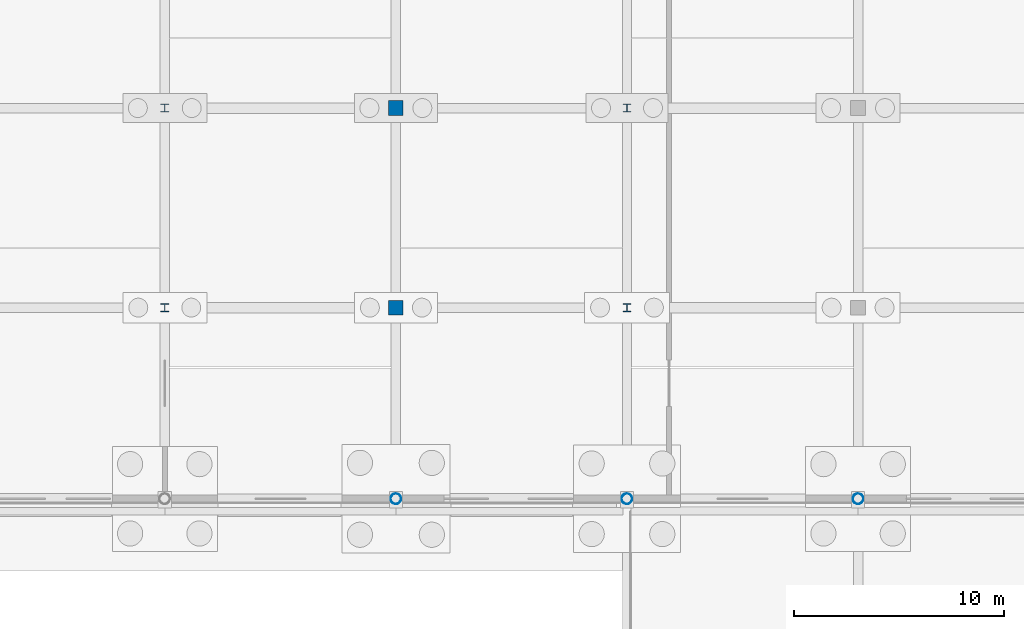
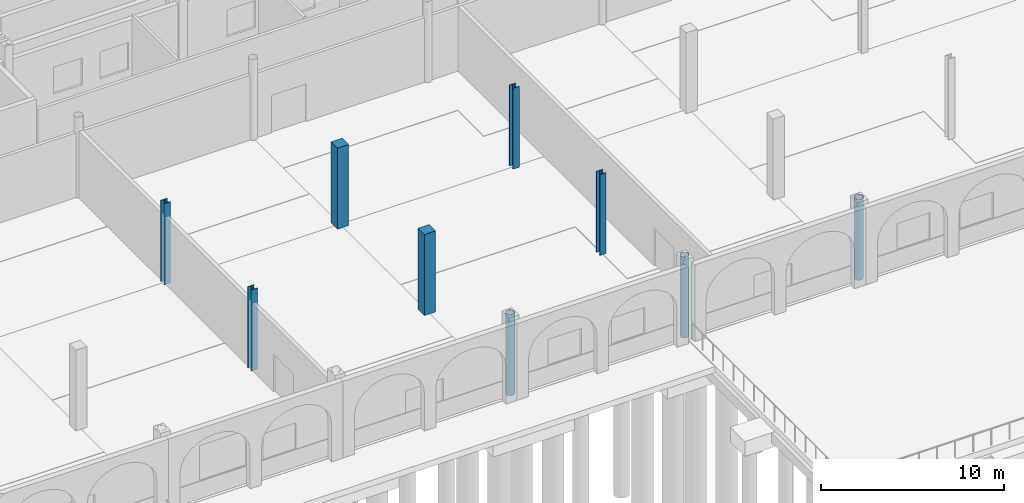
# One storey, part 16 of 83: 9 columns.
"""IFC4 building model written with IfcOpenShell, lengths in metres."""

from ifc_helpers import new_model, si_unit, direction, frame, origin, origin_2d, place, context, subcontext, project, spatial, rectangle, hollow_circle, i_section, extrude, material, material_profile, profile_set, type_object, element, save


model = new_model("IFC4")

# Units and contexts
model_context = context("Model", 3, precision=1e-05, world=origin(), true_north=direction((0.0, 1.0)))
body_context = subcontext(model_context, "Body", "Model", "MODEL_VIEW")
ifc_project = project(units=[si_unit("LENGTHUNIT", "METRE"), si_unit("AREAUNIT", "SQUARE_METRE"), si_unit("VOLUMEUNIT", "CUBIC_METRE"), si_unit("PLANEANGLEUNIT", "RADIAN"), si_unit("MASSUNIT", "GRAM", prefix="KILO")], contexts=[model_context])

# Site, building, storey
site_placement = place(None, origin())
site = spatial("IfcSite", under=ifc_project, at=site_placement, CompositionType="ELEMENT")
building_placement = place(site_placement, origin())
building = spatial("IfcBuilding", under=site, at=building_placement, Name="Caurita Quay Ferry Terminal", CompositionType="ELEMENT")
storey_placement = place(building_placement, origin())
storey = spatial("IfcBuildingStorey", under=building, at=storey_placement, Name="L00", CompositionType="ELEMENT", Elevation=0.0)

# Columns
ifc_material_1 = material(Name="Hollow structural steel ASTM A500 Gr. C", Category="steel")
ifc_material_profile_1 = material_profile(ifc_material_1, hollow_circle(Radius=0.25390625, WallThickness=0.01171875, at=origin_2d()), Name="HSS20.000X0.500")
ifc_profile_set_1 = profile_set([ifc_material_profile_1], Name="Hollow structural steel ASTM A500 Gr. C")
column_type_1 = type_object("IfcColumnType", Name="COL-MST-01", PredefinedType="COLUMN", material=ifc_profile_set_1)
for number, where, z_axis, x_axis, name in (
    (1, (44.0, 34.60009765625, 0.0), (0.0, 0.0, 1.0), (1.0, 0.0, 0.0), "L00 Column V1-MST-05-S"),
    (2, (55.0, 34.60009765625, 0.0), (0.0, 0.0, 1.0), (1.0, 0.0, 0.0), "L00 Column V1-MST-06-S"),
    (3, (66.0, 34.60009765625, 0.0), (0.0, 0.0, 1.0), (1.0, 0.0, 0.0), "L00 Column V1-MST-07-S"),
):
    element("IfcColumn", number, at=place(storey_placement, frame(where, z_axis=z_axis, x_axis=x_axis)), inside=storey, type_object=column_type_1, Name=name, PredefinedType="COLUMN", context=body_context, shape_type="SweptSolid", body=[
        extrude(hollow_circle(Radius=0.25390625, WallThickness=0.01171875, at=origin_2d()), origin(), (0.0, 0.0, 1.0), 5.39990234375),
    ])
ifc_material_2 = material(Name="Reinforced concrete C35/45", Category="concrete")
ifc_material_profile_2 = material_profile(ifc_material_2, rectangle(XDim=0.699951171875, YDim=0.699951171875, at=origin_2d()), Name="RC-COL-700X700")
ifc_profile_set_2 = profile_set([ifc_material_profile_2], Name="Reinforced concrete C35/45")
column_type_2 = type_object("IfcColumnType", Name="COL-RC-700", PredefinedType="COLUMN", material=ifc_profile_set_2)
for number, where, z_axis, x_axis, name in (
    (4, (44.0, 43.699951171875, 0.0), (0.0, 0.0, 1.0), (1.0, 0.0, 0.0), "L00 Column V1-SUB-05-G"),
    (5, (44.0, 53.199951171875, 0.0), (0.0, 0.0, 1.0), (1.0, 0.0, 0.0), "L00 Column V1-SUB-05-H"),
):
    element("IfcColumn", number, at=place(storey_placement, frame(where, z_axis=z_axis, x_axis=x_axis)), inside=storey, type_object=column_type_2, Name=name, PredefinedType="COLUMN", context=body_context, shape_type="SweptSolid", body=[
        extrude(rectangle(XDim=0.699951171875, YDim=0.699951171875, at=origin_2d()), origin(), (0.0, 0.0, 1.0), 5.39990234375),
    ])
ifc_material_3 = material(Name="Structural steel ASTM A992 Gr. 50", Category="steel")
ifc_material_profile_3 = material_profile(ifc_material_3, i_section(OverallWidth=0.40087890625, OverallDepth=0.39892578125, WebThickness=0.02490234375, FlangeThickness=0.03955078125, at=origin_2d()), Name="W14X211")
ifc_profile_set_3 = profile_set([ifc_material_profile_3], Name="Structural steel ASTM A992 Gr. 50")
column_type_3 = type_object("IfcColumnType", Name="COL-STL-03", PredefinedType="COLUMN", material=ifc_profile_set_3)
for number, where, z_axis, x_axis, name in (
    (6, (33.0, 43.699951171875, 0.0), (0.0, 0.0, 1.0), (1.0, 0.0, 0.0), "L00 Column V1-SUB-04-G"),
    (7, (33.0, 53.199951171875, 0.0), (0.0, 0.0, 1.0), (1.0, 0.0, 0.0), "L00 Column V1-SUB-04-H"),
    (8, (55.0, 43.699951171875, 0.0), (0.0, 0.0, 1.0), (1.0, 0.0, 0.0), "L00 Column V1-SUB-06-G"),
    (9, (55.0, 53.199951171875, 0.0), (0.0, 0.0, 1.0), (1.0, 0.0, 0.0), "L00 Column V1-SUB-06-H"),
):
    element("IfcColumn", number, at=place(storey_placement, frame(where, z_axis=z_axis, x_axis=x_axis)), inside=storey, type_object=column_type_3, Name=name, PredefinedType="COLUMN", context=body_context, shape_type="SweptSolid", body=[
        extrude(i_section(OverallWidth=0.40087890625, OverallDepth=0.39892578125, WebThickness=0.02490234375, FlangeThickness=0.03955078125, at=origin_2d()), origin(), (0.0, 0.0, 1.0), 5.39990234375),
    ])

save(model, "model.ifc")
